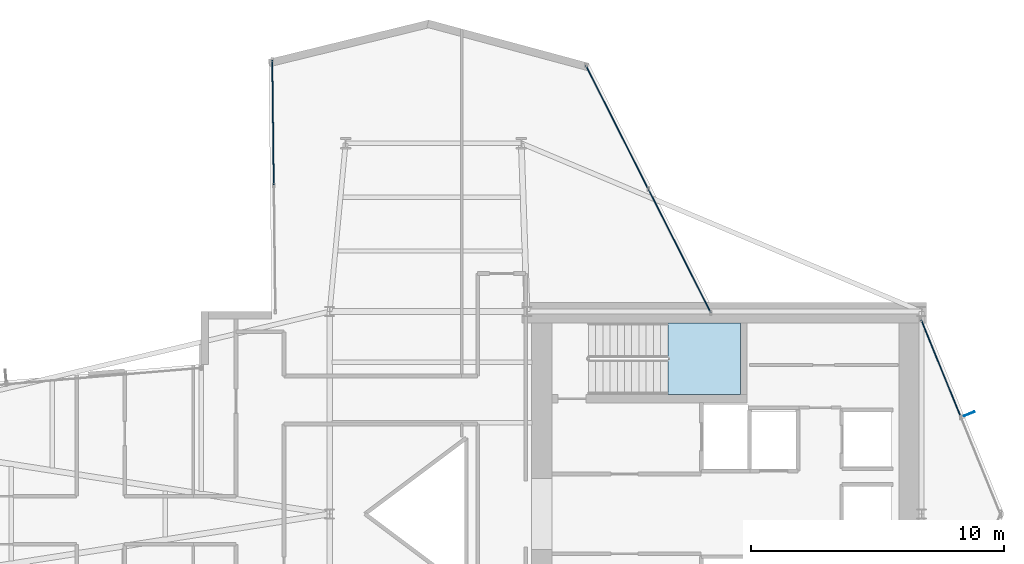
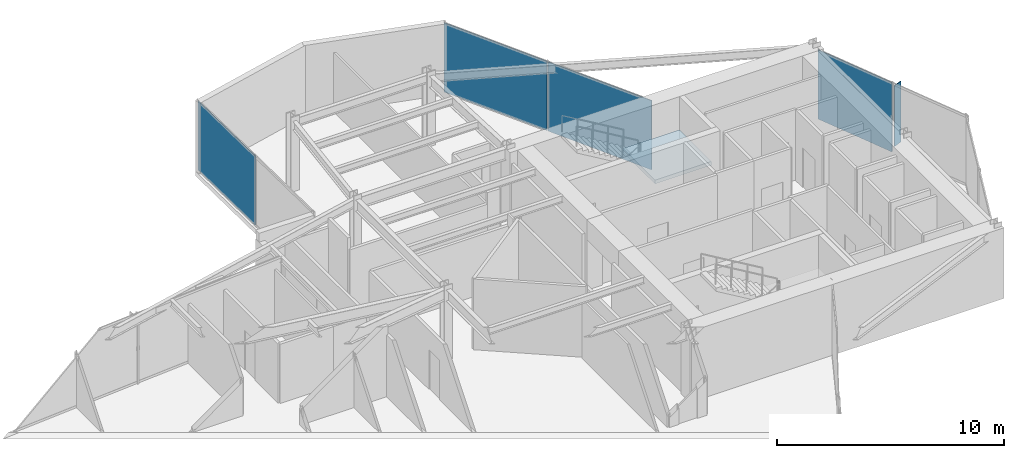
# One storey, part 22 of 26: 5 plates, 1 slab, 4 elements without a shape of their own.
"""IFC4 building model written with IfcOpenShell, lengths in metres."""

from ifc_helpers import new_model, si_unit, direction, frame, origin, origin_2d, place, context, subcontext, project, spatial, polyline, rectangle, outline, extrude, material, layer, layer_set, type_object, element, aggregate, save


model = new_model("IFC4")

# Units and contexts
model_context = context("Model", 3, precision=1e-05, world=origin(), true_north=direction((0.0, 1.0)))
body_context = subcontext(model_context, "Body", "Model", "MODEL_VIEW")
ifc_project = project(units=[si_unit("LENGTHUNIT", "METRE"), si_unit("AREAUNIT", "SQUARE_METRE"), si_unit("VOLUMEUNIT", "CUBIC_METRE"), si_unit("PLANEANGLEUNIT", "RADIAN"), si_unit("MASSUNIT", "GRAM", prefix="KILO")], contexts=[model_context])

# Site, building, storey
site_placement = place(None, origin())
site = spatial("IfcSite", under=ifc_project, at=site_placement, CompositionType="ELEMENT")
building_placement = place(site_placement, origin())
building = spatial("IfcBuilding", under=site, at=building_placement, Name="Veymaron Broadcast Tower", CompositionType="ELEMENT")
storey_placement = place(building_placement, frame((0.0, 0.0, 133.050048828125)))
storey = spatial("IfcBuildingStorey", under=building, at=storey_placement, Name="L30", CompositionType="ELEMENT", Elevation=133.050048828125)

# Curtain wall, plate
ifc_material_1 = material(Name="Anodised aluminium AA 6063-T6 and laminated low-E dark glass", Category="aluminium")
ifc_layer_1 = layer(ifc_material_1, 0.179931640625)
ifc_layer_set_1 = layer_set([ifc_layer_1], Name="Anodised aluminium AA 6063-T6 and laminated low-E dark glass")
curtain_wall_type = type_object("IfcCurtainWallType", Name="CW-SYS-03", PredefinedType="NOTDEFINED", material=ifc_layer_set_1)
curtain_wall_1_placement = place(storey_placement, origin())
curtain_wall_1 = element("IfcCurtainWall", 1, at=curtain_wall_1_placement, inside=storey, type_object=curtain_wall_type, Name="L30 dark-glass curtain wall CW-L30-E3-1", PredefinedType="NOTDEFINED")
ifc_material_2 = material(Name="Insulated dark-anodised aluminium spandrel panel 40 mm", Category="aluminium")
ifc_layer_2 = layer(ifc_material_2, 0.0400390625)
ifc_layer_set_2 = layer_set([ifc_layer_2], Name="Insulated dark-anodised aluminium spandrel panel 40 mm")
plate_type_1 = type_object("IfcPlateType", Name="CW-PNL-03", PredefinedType="CURTAIN_PANEL", material=ifc_layer_set_2)
plate_1_placement = place(storey_placement, frame((55.361083984375, 29.758056640625, 0.0400390625), z_axis=(0.0, 0.0, 1.0), x_axis=(-0.376871010412, 0.926265751019, 0.0)))
plate_1 = element("IfcPlate", 2, at=plate_1_placement, type_object=plate_type_1, Name="CW-L30-E3-1 unitised curtain panel 1", PredefinedType="CURTAIN_PANEL", context=body_context, shape_type="SweptSolid", body=[
    extrude(rectangle(XDim=4.122314453125, YDim=0.0400390625, at=origin_2d()), origin(), (0.0, 0.0, 1.0), 3.72998046875),
])
aggregate(curtain_wall_1, [plate_1])

# Curtain wall, plates
curtain_wall_2_placement = place(storey_placement, origin())
curtain_wall_2 = element("IfcCurtainWall", 3, at=curtain_wall_2_placement, inside=storey, type_object=curtain_wall_type, Name="L30 dark-glass curtain wall CW-L30-E5-1", PredefinedType="NOTDEFINED")
plate_2_placement = place(storey_placement, frame((45.031982421875, 34.389404296875, 0.0400390625), z_axis=(0.0, 0.0, 1.0), x_axis=(-0.450908697538, 0.892570079313, 0.0)))
plate_2 = element("IfcPlate", 4, at=plate_2_placement, type_object=plate_type_1, Name="CW-L30-E5-1 unitised curtain panel 0", PredefinedType="CURTAIN_PANEL", context=body_context, shape_type="SweptSolid", body=[
    extrude(rectangle(XDim=5.435302734375, YDim=0.0400390625, at=origin_2d()), origin(), (0.0, 0.0, 1.0), 3.72998046875),
])
plate_3_placement = place(storey_placement, frame((42.553955078125, 39.29443359375, 0.0400390625), z_axis=(0.0, 0.0, 1.0), x_axis=(-0.450908697538, 0.892570079313, 0.0)))
plate_3 = element("IfcPlate", 5, at=plate_3_placement, type_object=plate_type_1, Name="CW-L30-E5-1 unitised curtain panel 1", PredefinedType="CURTAIN_PANEL", context=body_context, shape_type="SweptSolid", body=[
    extrude(rectangle(XDim=5.435302734375, YDim=0.0400390625, at=origin_2d()), origin(), (0.0, 0.0, 1.0), 3.72998046875),
])
aggregate(curtain_wall_2, [plate_2, plate_3])

# Curtain wall, plate
curtain_wall_3_placement = place(storey_placement, origin())
curtain_wall_3 = element("IfcCurtainWall", 6, at=curtain_wall_3_placement, inside=storey, type_object=curtain_wall_type, Name="L30 dark-glass curtain wall CW-L30-E8-1", PredefinedType="NOTDEFINED")
plate_4_placement = place(storey_placement, frame((28.960205078125, 39.4755859375, 0.0400390625), z_axis=(0.0, 0.0, 1.0), x_axis=(0.012077384797, -0.999927065729, 0.0)))
plate_4 = element("IfcPlate", 7, at=plate_4_placement, type_object=plate_type_1, Name="CW-L30-E8-1 unitised curtain panel 0", PredefinedType="CURTAIN_PANEL", context=body_context, shape_type="SweptSolid", body=[
    extrude(rectangle(XDim=4.9228515625, YDim=0.0400390625, at=origin_2d()), origin(), (0.0, 0.0, 1.0), 3.72998046875),
])
aggregate(curtain_wall_3, [plate_4])

# Plate
ifc_material_3 = material(Name="Dark-anodised aluminium AA 6061-T6", Category="aluminium")
ifc_layer_3 = layer(ifc_material_3, 0.034912109375)
ifc_layer_set_3 = layer_set([ifc_layer_3], Name="Dark-anodised aluminium AA 6061-T6")
plate_type_2 = type_object("IfcPlateType", Name="FIN-CHEV-01", PredefinedType="USERDEFINED", material=ifc_layer_set_3)
plate_5_placement = place(storey_placement, frame((56.477783203125, 27.954833984375, 0.2666015625), z_axis=(0.0, 0.0, 1.0), x_axis=(0.926265751019, 0.376871010412, 0.0)))
element("IfcPlate", 8, at=plate_5_placement, inside=storey, type_object=plate_type_2, Name="CW-L30-E3-1 chevron fin 1", ObjectType="FIN", PredefinedType="USERDEFINED", context=body_context, shape_type="SweptSolid", body=[
    extrude(rectangle(XDim=0.449951171875, YDim=0.034912109375, at=origin_2d()), origin(), (0.0, 0.0, 1.0), 3.276611328125),
])

# Stair, slab
ifc_material_4 = material(Name="Concrete C50/60", Category="concrete")
stair_type = type_object("IfcStairType", Name="STAIR-CORE-1", PredefinedType="HALF_TURN_STAIR", material=ifc_material_4)
stair_placement = place(storey_placement, origin())
stair = element("IfcStair", 9, at=stair_placement, inside=storey, type_object=stair_type, Name="L30 North protected dog-leg exit stair ST1", PredefinedType="HALF_TURN_STAIR")
ifc_layer_4 = layer(ifc_material_4, 0.199951171875)
ifc_layer_set_4 = layer_set([ifc_layer_4], Name="Concrete C50/60")
slab_type = type_object("IfcSlabType", Name="SLAB-STAIR-LDG", PredefinedType="LANDING", material=ifc_layer_set_4)
slab_placement = place(storey_placement, frame((0.0, 0.0, 1.824951171875)))
slab = element("IfcSlab", 10, at=slab_placement, type_object=slab_type, Name="ST1 landing 1", PredefinedType="LANDING", context=body_context, shape_type="SweptSolid", body=[
    extrude(outline(polyline([(44.56494140625, 28.72998046875), (47.43994140625, 28.72998046875), (47.43994140625, 31.550048828125), (44.56494140625, 31.550048828125), (44.56494140625, 28.72998046875)])), origin(), (0.0, 0.0, 1.0), 0.199951171875),
])
aggregate(stair, [slab])

save(model, "model.ifc")
